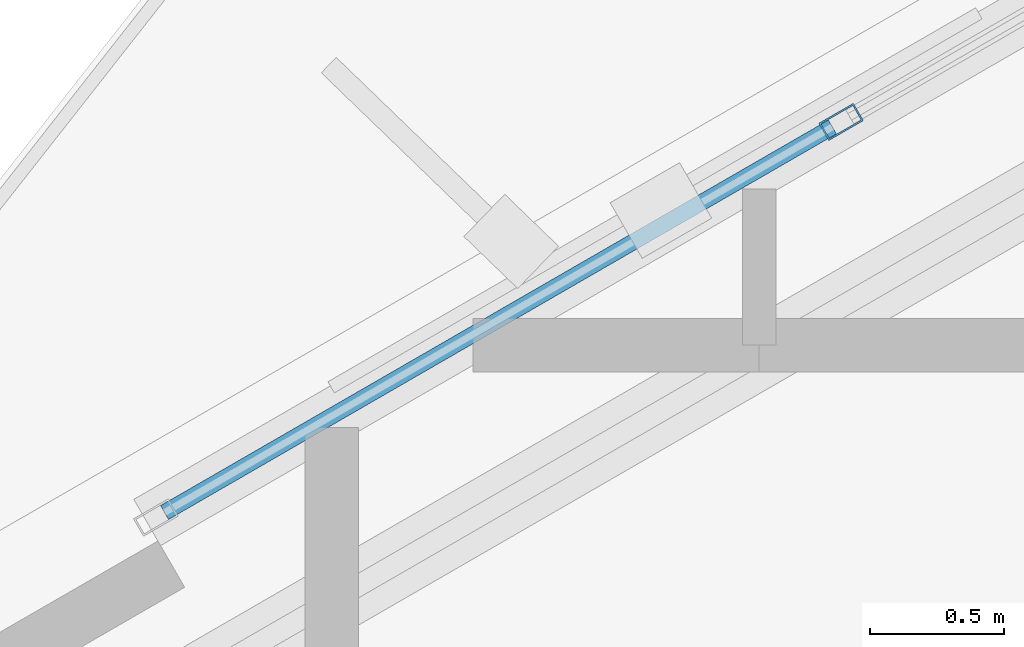
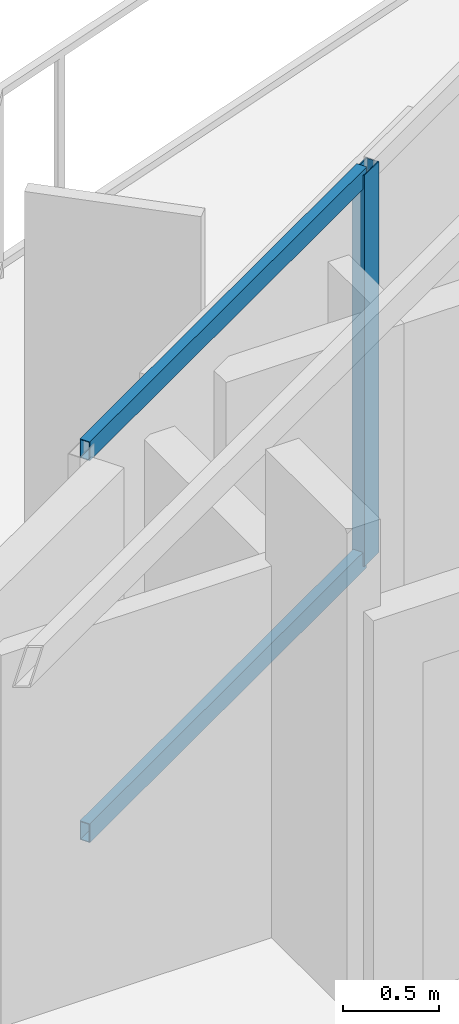
# One storey, part 8 of 22: 3 members, 1 element without a shape of its own.
"""IFC4 building model written with IfcOpenShell, lengths in metres."""

from ifc_helpers import new_model, si_unit, direction, frame, origin, origin_2d, place, context, subcontext, project, spatial, hollow_rectangle, extrude, material, layer, layer_set, material_profile, profile_set, type_object, element, aggregate, save


model = new_model("IFC4")

# Units and contexts
model_context = context("Model", 3, precision=1e-05, world=origin(), true_north=direction((0.0, 1.0)))
body_context = subcontext(model_context, "Body", "Model", "MODEL_VIEW")
ifc_project = project(units=[si_unit("LENGTHUNIT", "METRE"), si_unit("AREAUNIT", "SQUARE_METRE"), si_unit("VOLUMEUNIT", "CUBIC_METRE"), si_unit("PLANEANGLEUNIT", "RADIAN"), si_unit("MASSUNIT", "GRAM", prefix="KILO")], contexts=[model_context])

# Site, building, storey
site_placement = place(None, origin())
site = spatial("IfcSite", under=ifc_project, at=site_placement, CompositionType="ELEMENT")
building_placement = place(site_placement, origin())
building = spatial("IfcBuilding", under=site, at=building_placement, Name="Mersakhor Tower and Convention Hall", CompositionType="ELEMENT")
storey_placement = place(building_placement, frame((0.0, 0.0, 208.5)))
storey = spatial("IfcBuildingStorey", under=building, at=storey_placement, Name="L58", CompositionType="ELEMENT", Elevation=208.5)

# Curtain wall, members
ifc_material_1 = material(Name="Dark solar low-E aluminium curtain wall", Category="aluminium")
ifc_layer = layer(ifc_material_1, 0.169921875)
ifc_layer_set = layer_set([ifc_layer], Name="Dark solar low-E aluminium curtain wall")
curtain_wall_type = type_object("IfcCurtainWallType", Name="CW-SYS-02", PredefinedType="USERDEFINED", material=ifc_layer_set)
curtain_wall_placement = place(storey_placement, origin())
curtain_wall = element("IfcCurtainWall", 1, at=curtain_wall_placement, inside=storey, type_object=curtain_wall_type, Name="L58 Dark-Glass Curtain Wall F1-B2", ObjectType="CURTAIN WALL", PredefinedType="USERDEFINED")
ifc_material_2 = material(Name="Anodised aluminium EN AW-6063 T6", Category="aluminium")
ifc_material_profile_1 = material_profile(ifc_material_2, hollow_rectangle(XDim=0.074951171875, YDim=0.14990234375, WallThickness=0.00634765625, at=origin_2d()), Name="RHS 150x75x6.3")
ifc_profile_set_1 = profile_set([ifc_material_profile_1], Name="Anodised aluminium EN AW-6063 T6")
member_type_1 = type_object("IfcMemberType", Name="CWM-150x75", PredefinedType="MULLION", material=ifc_profile_set_1)
member_1_placement = place(storey_placement, frame((21.906982421875, 36.035888671875, 0.199951171875), z_axis=(0.0, 0.0, 1.0), x_axis=(-0.500007824483, 0.86602088627, 0.0)))
member_1 = element("IfcMember", 2, at=member_1_placement, type_object=member_type_1, Name="CW-02 mullion 2", PredefinedType="MULLION", context=body_context, shape_type="SweptSolid", body=[
    extrude(hollow_rectangle(XDim=0.074951171875, YDim=0.14990234375, WallThickness=0.00634765625, at=origin_2d()), origin(), (0.0, 0.0, 1.0), 2.489990234375),
])
ifc_material_3 = material(Name="Anodised aluminium EN AW-6063 T6", Category="aluminium")
ifc_material_profile_2 = material_profile(ifc_material_3, hollow_rectangle(XDim=0.06005859375, YDim=0.1201171875, WallThickness=0.0048828125, at=origin_2d()), Name="RHS 120x60x5")
ifc_profile_set_2 = profile_set([ifc_material_profile_2], Name="Anodised aluminium EN AW-6063 T6")
member_type_2 = type_object("IfcMemberType", Name="CWT-120x60", PredefinedType="USERDEFINED", material=ifc_profile_set_2)
member_2_placement = place(storey_placement, frame((19.374267578125, 34.573486328125, 0.22998046875), z_axis=(0.86601237176, 0.50002257145, 0.0), x_axis=(-0.50002257145, 0.86601237176, 0.0)))
member_2 = element("IfcMember", 3, at=member_2_placement, type_object=member_type_2, Name="CW-02 transom 1.1", ObjectType="TRANSOM", PredefinedType="USERDEFINED", context=body_context, shape_type="SweptSolid", body=[
    extrude(hollow_rectangle(XDim=0.06005859375, YDim=0.1201171875, WallThickness=0.0048828125, at=origin_2d()), origin(), (0.0, 0.0, 1.0), 2.886962890625),
])
member_3_placement = place(storey_placement, frame((19.374267578125, 34.573486328125, 2.659912109375), z_axis=(0.86601237176, 0.50002257145, 0.0), x_axis=(-0.50002257145, 0.86601237176, 0.0)))
member_3 = element("IfcMember", 4, at=member_3_placement, type_object=member_type_2, Name="CW-02 transom 1.2", ObjectType="TRANSOM", PredefinedType="USERDEFINED", context=body_context, shape_type="SweptSolid", body=[
    extrude(hollow_rectangle(XDim=0.06005859375, YDim=0.1201171875, WallThickness=0.0048828125, at=origin_2d()), origin(), (0.0, 0.0, 1.0), 2.886962890625),
])
aggregate(curtain_wall, [member_1, member_2, member_3])

save(model, "model.ifc")
